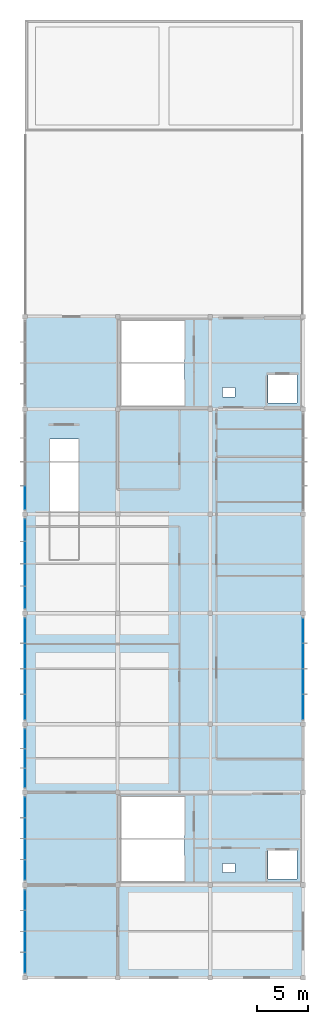
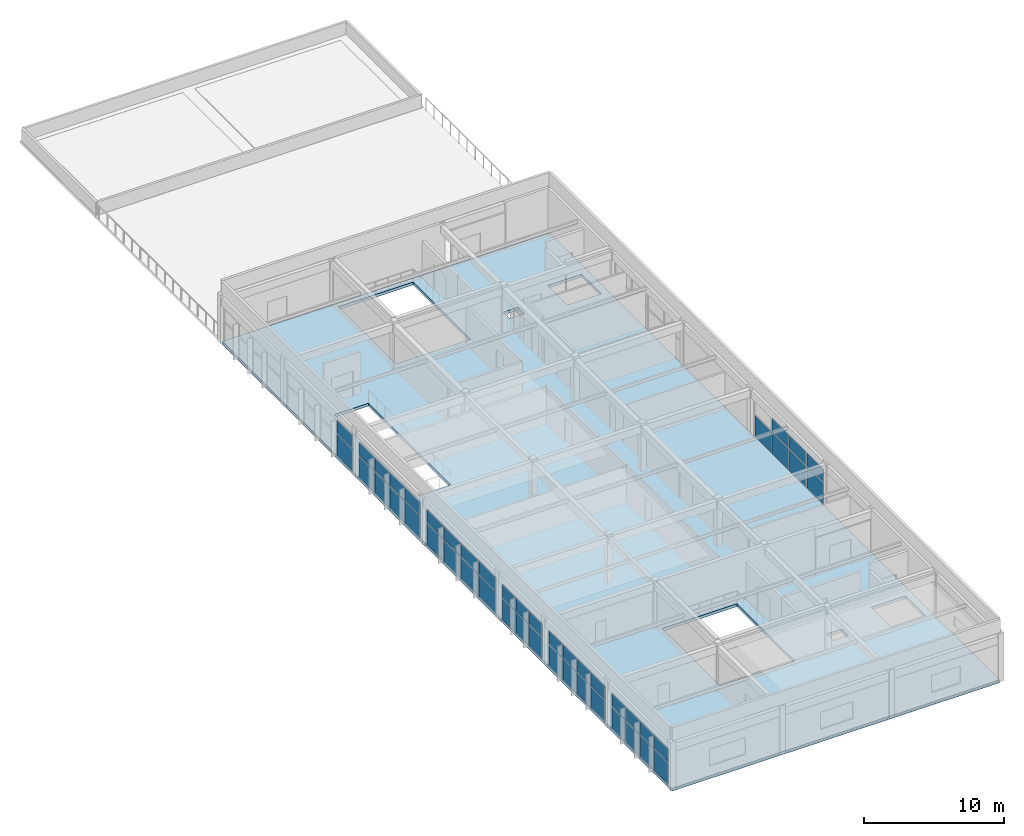
# One storey, part 5 of 10: 47 plates, 1 slab, 7 elements without a shape of their own.
"""IFC4 building model written with IfcOpenShell, lengths in metres."""

from ifc_helpers import new_model, si_unit, direction, frame, origin, place, context, subcontext, project, spatial, polyline, outline, extrude, material, layer, layer_set, type_object, element, aggregate, save


model = new_model("IFC4")

# Units and contexts
model_context = context("Model", 3, precision=1e-05, world=origin(), true_north=direction((0.0, 1.0)))
body_context = subcontext(model_context, "Body", "Model", "MODEL_VIEW")
ifc_project = project(units=[si_unit("LENGTHUNIT", "METRE"), si_unit("AREAUNIT", "SQUARE_METRE"), si_unit("VOLUMEUNIT", "CUBIC_METRE"), si_unit("PLANEANGLEUNIT", "RADIAN"), si_unit("MASSUNIT", "GRAM", prefix="KILO")], contexts=[model_context])

# Site, building, storey
site_placement = place(None, origin())
site = spatial("IfcSite", under=ifc_project, at=site_placement, CompositionType="ELEMENT")
building_placement = place(site_placement, origin())
building = spatial("IfcBuilding", under=site, at=building_placement, Name="Suirenkawa Promenade Aquatics Centre", CompositionType="ELEMENT")
storey_placement = place(building_placement, frame((0.0, 0.0, 18.60009765625)))
storey = spatial("IfcBuildingStorey", under=building, at=storey_placement, Name="L04", CompositionType="ELEMENT", Elevation=18.60009765625)

# Curtain wall, plates
ifc_material_1 = material(Name="Anodised aluminium 6063-T6", Category="aluminium")
curtain_wall_type_1 = type_object("IfcCurtainWallType", Name="CWAT-V5EL04-82", PredefinedType="NOTDEFINED", material=ifc_material_1)
curtain_wall_1_placement = place(storey_placement, origin())
curtain_wall_1 = element("IfcCurtainWall", 1, at=curtain_wall_1_placement, inside=storey, type_object=curtain_wall_type_1, Name="Curtain wall CWA-82 CW-149", PredefinedType="NOTDEFINED")
ifc_material_2 = material(Name="Low-E thermally broken double glazing", Category="glass")
ifc_layer_1 = layer(ifc_material_2, 0.028076171875, Name="Low-E thermally broken double glazing", Category="glass")
ifc_layer_set_1 = layer_set([ifc_layer_1], Name="Low-E thermally broken double glazing")
plate_type_1 = type_object("IfcPlateType", Name="CWP-LOWE-28", PredefinedType="CURTAIN_PANEL", material=ifc_layer_set_1)
plate_1_placement = place(storey_placement, frame((27.0, 39.15087890625, 0.039794921875), z_axis=(0.0, 0.0, 1.0), x_axis=(0.0, -1.0, 0.0)))
plate_1 = element("IfcPlate", 2, at=plate_1_placement, type_object=plate_type_1, Name="Glazed panel CP-02 CWP-03046", PredefinedType="CURTAIN_PANEL", context=body_context, shape_type="SweptSolid", body=[
    extrude(outline(polyline([(0.0400390625, 0.0), (2.435546875, 0.0), (2.435546875, 1.8701171875), (0.0400390625, 1.8701171875), (0.0400390625, 0.0)])), frame((0.0, 0.01416015625, 0.0), z_axis=(0.0, -1.0, 0.0), x_axis=(1.0, 0.0, 0.0)), (0.0, 0.0, 1.0), 0.028076171875),
])
plate_2_placement = place(storey_placement, frame((27.0, 36.675537109375, 0.039794921875), z_axis=(0.0, 0.0, 1.0), x_axis=(0.0, -1.0, 0.0)))
plate_2 = element("IfcPlate", 3, at=plate_2_placement, type_object=plate_type_1, Name="Glazed panel CP-02 CWP-03048", PredefinedType="CURTAIN_PANEL", context=body_context, shape_type="SweptSolid", body=[
    extrude(outline(polyline([(0.0400390625, 0.0), (2.435546875, 0.0), (2.435546875, 1.8701171875), (0.0400390625, 1.8701171875), (0.0400390625, 0.0)])), frame((0.0, 0.01416015625, 0.0), z_axis=(0.0, -1.0, 0.0), x_axis=(1.0, 0.0, 0.0)), (0.0, 0.0, 1.0), 0.028076171875),
])
plate_3_placement = place(storey_placement, frame((27.0, 36.675537109375, 1.989990234375), z_axis=(0.0, 0.0, 1.0), x_axis=(0.0, -1.0, 0.0)))
plate_3 = element("IfcPlate", 4, at=plate_3_placement, type_object=plate_type_1, Name="Top glazed panel CP-02 CWP-03049", PredefinedType="CURTAIN_PANEL", context=body_context, shape_type="SweptSolid", body=[
    extrude(outline(polyline([(0.0400390625, 0.0), (2.435546875, 0.0), (2.435546875, 1.14501953125), (0.0400390625, 1.14501953125), (0.0400390625, 0.0)])), frame((0.0, 0.01416015625, 0.0), z_axis=(0.0, -1.0, 0.0), x_axis=(1.0, 0.0, 0.0)), (0.0, 0.0, 1.0), 0.028076171875),
])
plate_4_placement = place(storey_placement, frame((27.0, 34.199951171875, 0.039794921875), z_axis=(0.0, 0.0, 1.0), x_axis=(0.0, -1.0, 0.0)))
plate_4 = element("IfcPlate", 5, at=plate_4_placement, type_object=plate_type_1, Name="Glazed panel CP-02 CWP-03050", PredefinedType="CURTAIN_PANEL", context=body_context, shape_type="SweptSolid", body=[
    extrude(outline(polyline([(0.0400390625, 0.0), (2.435546875, 0.0), (2.435546875, 1.8701171875), (0.0400390625, 1.8701171875), (0.0400390625, 0.0)])), frame((0.0, 0.01416015625, 0.0), z_axis=(0.0, -1.0, 0.0), x_axis=(1.0, 0.0, 0.0)), (0.0, 0.0, 1.0), 0.028076171875),
])
plate_5_placement = place(storey_placement, frame((27.0, 34.199951171875, 1.989990234375), z_axis=(0.0, 0.0, 1.0), x_axis=(0.0, -1.0, 0.0)))
plate_5 = element("IfcPlate", 6, at=plate_5_placement, type_object=plate_type_1, Name="Top glazed panel CP-02 CWP-03051", PredefinedType="CURTAIN_PANEL", context=body_context, shape_type="SweptSolid", body=[
    extrude(outline(polyline([(0.0400390625, 0.0), (2.435546875, 0.0), (2.435546875, 1.14501953125), (0.0400390625, 1.14501953125), (0.0400390625, 0.0)])), frame((0.0, 0.01416015625, 0.0), z_axis=(0.0, -1.0, 0.0), x_axis=(1.0, 0.0, 0.0)), (0.0, 0.0, 1.0), 0.028076171875),
])
plate_6_placement = place(storey_placement, frame((27.0, 31.724609375, 0.039794921875), z_axis=(0.0, 0.0, 1.0), x_axis=(0.0, -1.0, 0.0)))
plate_6 = element("IfcPlate", 7, at=plate_6_placement, type_object=plate_type_1, Name="Glazed panel CP-02 CWP-03052", PredefinedType="CURTAIN_PANEL", context=body_context, shape_type="SweptSolid", body=[
    extrude(outline(polyline([(0.0400390625, 0.0), (2.435546875, 0.0), (2.435546875, 1.8701171875), (0.0400390625, 1.8701171875), (0.0400390625, 0.0)])), frame((0.0, 0.01416015625, 0.0), z_axis=(0.0, -1.0, 0.0), x_axis=(1.0, 0.0, 0.0)), (0.0, 0.0, 1.0), 0.028076171875),
])
plate_7_placement = place(storey_placement, frame((27.0, 31.724609375, 1.989990234375), z_axis=(0.0, 0.0, 1.0), x_axis=(0.0, -1.0, 0.0)))
plate_7 = element("IfcPlate", 8, at=plate_7_placement, type_object=plate_type_1, Name="Top glazed panel CP-02 CWP-03053", PredefinedType="CURTAIN_PANEL", context=body_context, shape_type="SweptSolid", body=[
    extrude(outline(polyline([(0.0400390625, 0.0), (2.435546875, 0.0), (2.435546875, 1.14501953125), (0.0400390625, 1.14501953125), (0.0400390625, 0.0)])), frame((0.0, 0.01416015625, 0.0), z_axis=(0.0, -1.0, 0.0), x_axis=(1.0, 0.0, 0.0)), (0.0, 0.0, 1.0), 0.028076171875),
])
aggregate(curtain_wall_1, [plate_1, plate_2, plate_3, plate_4, plate_5, plate_6, plate_7])

curtain_wall_type_2 = type_object("IfcCurtainWallType", Name="CWAT-V5WL04-79", PredefinedType="NOTDEFINED", material=ifc_material_1)
curtain_wall_2_placement = place(storey_placement, origin())
curtain_wall_2 = element("IfcCurtainWall", 9, at=curtain_wall_2_placement, inside=storey, type_object=curtain_wall_type_2, Name="Curtain wall CWA-79 CW-145", PredefinedType="NOTDEFINED")
ifc_material_3 = material(Name="Ceramic-fritted low-SHGC double glazing", Category="glass")
ifc_layer_2 = layer(ifc_material_3, 0.035888671875, Name="Ceramic-fritted low-SHGC double glazing", Category="glass")
ifc_layer_set_2 = layer_set([ifc_layer_2], Name="Ceramic-fritted low-SHGC double glazing")
plate_type_2 = type_object("IfcPlateType", Name="CWP-SHOJI-36", PredefinedType="CURTAIN_PANEL", material=ifc_layer_set_2)
plate_8_placement = place(storey_placement, frame((0.0, 4.64892578125, 0.039794921875), z_axis=(0.0, 0.0, 1.0), x_axis=(0.0, 1.0, 0.0)))
plate_8 = element("IfcPlate", 10, at=plate_8_placement, type_object=plate_type_2, Name="Glazed panel CP-01 CWP-02963", PredefinedType="CURTAIN_PANEL", context=body_context, shape_type="SweptSolid", body=[
    extrude(outline(polyline([(0.0400390625, 0.0), (1.985595703125, 0.0), (1.985595703125, 1.8701171875), (0.0400390625, 1.8701171875), (0.0400390625, 0.0)])), frame((0.0, 0.01806640625, 0.0), z_axis=(0.0, -1.0, 0.0), x_axis=(1.0, 0.0, 0.0)), (0.0, 0.0, 1.0), 0.035888671875),
])
plate_9_placement = place(storey_placement, frame((0.0, 4.64892578125, 1.989990234375), z_axis=(0.0, 0.0, 1.0), x_axis=(0.0, 1.0, 0.0)))
plate_9 = element("IfcPlate", 11, at=plate_9_placement, type_object=plate_type_2, Name="Top glazed panel CP-01 CWP-02964", PredefinedType="CURTAIN_PANEL", context=body_context, shape_type="SweptSolid", body=[
    extrude(outline(polyline([(0.0400390625, 0.0), (1.985595703125, 0.0), (1.985595703125, 1.14501953125), (0.0400390625, 1.14501953125), (0.0400390625, 0.0)])), frame((0.0, 0.01806640625, 0.0), z_axis=(0.0, -1.0, 0.0), x_axis=(1.0, 0.0, 0.0)), (0.0, 0.0, 1.0), 0.035888671875),
])
plate_10_placement = place(storey_placement, frame((0.0, 6.674560546875, 0.039794921875), z_axis=(0.0, 0.0, 1.0), x_axis=(0.0, 1.0, 0.0)))
plate_10 = element("IfcPlate", 12, at=plate_10_placement, type_object=plate_type_2, Name="Glazed panel CP-01 CWP-02965", PredefinedType="CURTAIN_PANEL", context=body_context, shape_type="SweptSolid", body=[
    extrude(outline(polyline([(0.0400390625, 0.0), (1.985595703125, 0.0), (1.985595703125, 1.8701171875), (0.0400390625, 1.8701171875), (0.0400390625, 0.0)])), frame((0.0, 0.01806640625, 0.0), z_axis=(0.0, -1.0, 0.0), x_axis=(1.0, 0.0, 0.0)), (0.0, 0.0, 1.0), 0.035888671875),
])
plate_11_placement = place(storey_placement, frame((0.0, 6.674560546875, 1.989990234375), z_axis=(0.0, 0.0, 1.0), x_axis=(0.0, 1.0, 0.0)))
plate_11 = element("IfcPlate", 13, at=plate_11_placement, type_object=plate_type_2, Name="Top glazed panel CP-01 CWP-02966", PredefinedType="CURTAIN_PANEL", context=body_context, shape_type="SweptSolid", body=[
    extrude(outline(polyline([(0.0400390625, 0.0), (1.985595703125, 0.0), (1.985595703125, 1.14501953125), (0.0400390625, 1.14501953125), (0.0400390625, 0.0)])), frame((0.0, 0.01806640625, 0.0), z_axis=(0.0, -1.0, 0.0), x_axis=(1.0, 0.0, 0.0)), (0.0, 0.0, 1.0), 0.035888671875),
])
plate_12_placement = place(storey_placement, frame((0.0, 8.699951171875, 0.039794921875), z_axis=(0.0, 0.0, 1.0), x_axis=(0.0, 1.0, 0.0)))
plate_12 = element("IfcPlate", 14, at=plate_12_placement, type_object=plate_type_2, Name="Glazed panel CP-01 CWP-02967", PredefinedType="CURTAIN_PANEL", context=body_context, shape_type="SweptSolid", body=[
    extrude(outline(polyline([(0.0400390625, 0.0), (1.985595703125, 0.0), (1.985595703125, 1.8701171875), (0.0400390625, 1.8701171875), (0.0400390625, 0.0)])), frame((0.0, 0.01806640625, 0.0), z_axis=(0.0, -1.0, 0.0), x_axis=(1.0, 0.0, 0.0)), (0.0, 0.0, 1.0), 0.035888671875),
])
plate_13_placement = place(storey_placement, frame((0.0, 8.699951171875, 1.989990234375), z_axis=(0.0, 0.0, 1.0), x_axis=(0.0, 1.0, 0.0)))
plate_13 = element("IfcPlate", 15, at=plate_13_placement, type_object=plate_type_2, Name="Top glazed panel CP-01 CWP-02968", PredefinedType="CURTAIN_PANEL", context=body_context, shape_type="SweptSolid", body=[
    extrude(outline(polyline([(0.0400390625, 0.0), (1.985595703125, 0.0), (1.985595703125, 1.14501953125), (0.0400390625, 1.14501953125), (0.0400390625, 0.0)])), frame((0.0, 0.01806640625, 0.0), z_axis=(0.0, -1.0, 0.0), x_axis=(1.0, 0.0, 0.0)), (0.0, 0.0, 1.0), 0.035888671875),
])
plate_14_placement = place(storey_placement, frame((0.0, 10.7255859375, 0.039794921875), z_axis=(0.0, 0.0, 1.0), x_axis=(0.0, 1.0, 0.0)))
plate_14 = element("IfcPlate", 16, at=plate_14_placement, type_object=plate_type_2, Name="Glazed panel CP-01 CWP-02969", PredefinedType="CURTAIN_PANEL", context=body_context, shape_type="SweptSolid", body=[
    extrude(outline(polyline([(0.0400390625, 0.0), (1.985595703125, 0.0), (1.985595703125, 1.8701171875), (0.0400390625, 1.8701171875), (0.0400390625, 0.0)])), frame((0.0, 0.01806640625, 0.0), z_axis=(0.0, -1.0, 0.0), x_axis=(1.0, 0.0, 0.0)), (0.0, 0.0, 1.0), 0.035888671875),
])
plate_15_placement = place(storey_placement, frame((0.0, 10.7255859375, 1.989990234375), z_axis=(0.0, 0.0, 1.0), x_axis=(0.0, 1.0, 0.0)))
plate_15 = element("IfcPlate", 17, at=plate_15_placement, type_object=plate_type_2, Name="Top glazed panel CP-01 CWP-02970", PredefinedType="CURTAIN_PANEL", context=body_context, shape_type="SweptSolid", body=[
    extrude(outline(polyline([(0.0400390625, 0.0), (1.985595703125, 0.0), (1.985595703125, 1.14501953125), (0.0400390625, 1.14501953125), (0.0400390625, 0.0)])), frame((0.0, 0.01806640625, 0.0), z_axis=(0.0, -1.0, 0.0), x_axis=(1.0, 0.0, 0.0)), (0.0, 0.0, 1.0), 0.035888671875),
])
aggregate(curtain_wall_2, [plate_8, plate_9, plate_10, plate_11, plate_12, plate_13, plate_14, plate_15])

curtain_wall_3_placement = place(storey_placement, origin())
curtain_wall_3 = element("IfcCurtainWall", 18, at=curtain_wall_3_placement, inside=storey, type_object=curtain_wall_type_2, Name="Curtain wall CWA-79 CW-146", PredefinedType="NOTDEFINED")
plate_16_placement = place(storey_placement, frame((0.0, 13.64892578125, 0.039794921875), z_axis=(0.0, 0.0, 1.0), x_axis=(0.0, 1.0, 0.0)))
plate_16 = element("IfcPlate", 19, at=plate_16_placement, type_object=plate_type_2, Name="Glazed panel CP-01 CWP-02985", PredefinedType="CURTAIN_PANEL", context=body_context, shape_type="SweptSolid", body=[
    extrude(outline(polyline([(0.0400390625, 0.0), (1.985595703125, 0.0), (1.985595703125, 1.8701171875), (0.0400390625, 1.8701171875), (0.0400390625, 0.0)])), frame((0.0, 0.01806640625, 0.0), z_axis=(0.0, -1.0, 0.0), x_axis=(1.0, 0.0, 0.0)), (0.0, 0.0, 1.0), 0.035888671875),
])
plate_17_placement = place(storey_placement, frame((0.0, 13.64892578125, 1.989990234375), z_axis=(0.0, 0.0, 1.0), x_axis=(0.0, 1.0, 0.0)))
plate_17 = element("IfcPlate", 20, at=plate_17_placement, type_object=plate_type_2, Name="Top glazed panel CP-01 CWP-02986", PredefinedType="CURTAIN_PANEL", context=body_context, shape_type="SweptSolid", body=[
    extrude(outline(polyline([(0.0400390625, 0.0), (1.985595703125, 0.0), (1.985595703125, 1.14501953125), (0.0400390625, 1.14501953125), (0.0400390625, 0.0)])), frame((0.0, 0.01806640625, 0.0), z_axis=(0.0, -1.0, 0.0), x_axis=(1.0, 0.0, 0.0)), (0.0, 0.0, 1.0), 0.035888671875),
])
plate_18_placement = place(storey_placement, frame((0.0, 15.674560546875, 0.039794921875), z_axis=(0.0, 0.0, 1.0), x_axis=(0.0, 1.0, 0.0)))
plate_18 = element("IfcPlate", 21, at=plate_18_placement, type_object=plate_type_2, Name="Glazed panel CP-01 CWP-02987", PredefinedType="CURTAIN_PANEL", context=body_context, shape_type="SweptSolid", body=[
    extrude(outline(polyline([(0.0400390625, 0.0), (1.985595703125, 0.0), (1.985595703125, 1.8701171875), (0.0400390625, 1.8701171875), (0.0400390625, 0.0)])), frame((0.0, 0.01806640625, 0.0), z_axis=(0.0, -1.0, 0.0), x_axis=(1.0, 0.0, 0.0)), (0.0, 0.0, 1.0), 0.035888671875),
])
plate_19_placement = place(storey_placement, frame((0.0, 15.674560546875, 1.989990234375), z_axis=(0.0, 0.0, 1.0), x_axis=(0.0, 1.0, 0.0)))
plate_19 = element("IfcPlate", 22, at=plate_19_placement, type_object=plate_type_2, Name="Top glazed panel CP-01 CWP-02988", PredefinedType="CURTAIN_PANEL", context=body_context, shape_type="SweptSolid", body=[
    extrude(outline(polyline([(0.0400390625, 0.0), (1.985595703125, 0.0), (1.985595703125, 1.14501953125), (0.0400390625, 1.14501953125), (0.0400390625, 0.0)])), frame((0.0, 0.01806640625, 0.0), z_axis=(0.0, -1.0, 0.0), x_axis=(1.0, 0.0, 0.0)), (0.0, 0.0, 1.0), 0.035888671875),
])
plate_20_placement = place(storey_placement, frame((0.0, 17.699951171875, 0.039794921875), z_axis=(0.0, 0.0, 1.0), x_axis=(0.0, 1.0, 0.0)))
plate_20 = element("IfcPlate", 23, at=plate_20_placement, type_object=plate_type_2, Name="Glazed panel CP-01 CWP-02989", PredefinedType="CURTAIN_PANEL", context=body_context, shape_type="SweptSolid", body=[
    extrude(outline(polyline([(0.0400390625, 0.0), (1.985595703125, 0.0), (1.985595703125, 1.8701171875), (0.0400390625, 1.8701171875), (0.0400390625, 0.0)])), frame((0.0, 0.01806640625, 0.0), z_axis=(0.0, -1.0, 0.0), x_axis=(1.0, 0.0, 0.0)), (0.0, 0.0, 1.0), 0.035888671875),
])
plate_21_placement = place(storey_placement, frame((0.0, 17.699951171875, 1.989990234375), z_axis=(0.0, 0.0, 1.0), x_axis=(0.0, 1.0, 0.0)))
plate_21 = element("IfcPlate", 24, at=plate_21_placement, type_object=plate_type_2, Name="Top glazed panel CP-01 CWP-02990", PredefinedType="CURTAIN_PANEL", context=body_context, shape_type="SweptSolid", body=[
    extrude(outline(polyline([(0.0400390625, 0.0), (1.985595703125, 0.0), (1.985595703125, 1.14501953125), (0.0400390625, 1.14501953125), (0.0400390625, 0.0)])), frame((0.0, 0.01806640625, 0.0), z_axis=(0.0, -1.0, 0.0), x_axis=(1.0, 0.0, 0.0)), (0.0, 0.0, 1.0), 0.035888671875),
])
plate_22_placement = place(storey_placement, frame((0.0, 19.7255859375, 0.039794921875), z_axis=(0.0, 0.0, 1.0), x_axis=(0.0, 1.0, 0.0)))
plate_22 = element("IfcPlate", 25, at=plate_22_placement, type_object=plate_type_2, Name="Glazed panel CP-01 CWP-02991", PredefinedType="CURTAIN_PANEL", context=body_context, shape_type="SweptSolid", body=[
    extrude(outline(polyline([(0.0400390625, 0.0), (1.985595703125, 0.0), (1.985595703125, 1.8701171875), (0.0400390625, 1.8701171875), (0.0400390625, 0.0)])), frame((0.0, 0.01806640625, 0.0), z_axis=(0.0, -1.0, 0.0), x_axis=(1.0, 0.0, 0.0)), (0.0, 0.0, 1.0), 0.035888671875),
])
plate_23_placement = place(storey_placement, frame((0.0, 19.7255859375, 1.989990234375), z_axis=(0.0, 0.0, 1.0), x_axis=(0.0, 1.0, 0.0)))
plate_23 = element("IfcPlate", 26, at=plate_23_placement, type_object=plate_type_2, Name="Top glazed panel CP-01 CWP-02992", PredefinedType="CURTAIN_PANEL", context=body_context, shape_type="SweptSolid", body=[
    extrude(outline(polyline([(0.0400390625, 0.0), (1.985595703125, 0.0), (1.985595703125, 1.14501953125), (0.0400390625, 1.14501953125), (0.0400390625, 0.0)])), frame((0.0, 0.01806640625, 0.0), z_axis=(0.0, -1.0, 0.0), x_axis=(1.0, 0.0, 0.0)), (0.0, 0.0, 1.0), 0.035888671875),
])
aggregate(curtain_wall_3, [plate_16, plate_17, plate_18, plate_19, plate_20, plate_21, plate_22, plate_23])

curtain_wall_type_3 = type_object("IfcCurtainWallType", Name="CWAT-V5WL04-80", PredefinedType="NOTDEFINED", material=ifc_material_1)
curtain_wall_4_placement = place(storey_placement, origin())
curtain_wall_4 = element("IfcCurtainWall", 27, at=curtain_wall_4_placement, inside=storey, type_object=curtain_wall_type_3, Name="Curtain wall CWA-80 CW-147", PredefinedType="NOTDEFINED")
plate_24_placement = place(storey_placement, frame((0.0, 22.64892578125, 0.039794921875), z_axis=(0.0, 0.0, 1.0), x_axis=(0.0, 1.0, 0.0)))
plate_24 = element("IfcPlate", 28, at=plate_24_placement, type_object=plate_type_2, Name="Glazed panel CP-01 CWP-03004", PredefinedType="CURTAIN_PANEL", context=body_context, shape_type="SweptSolid", body=[
    extrude(outline(polyline([(0.0400390625, 0.0), (1.860595703125, 0.0), (1.860595703125, 1.8701171875), (0.0400390625, 1.8701171875), (0.0400390625, 0.0)])), frame((0.0, 0.01806640625, 0.0), z_axis=(0.0, -1.0, 0.0), x_axis=(1.0, 0.0, 0.0)), (0.0, 0.0, 1.0), 0.035888671875),
])
plate_25_placement = place(storey_placement, frame((0.0, 22.64892578125, 1.989990234375), z_axis=(0.0, 0.0, 1.0), x_axis=(0.0, 1.0, 0.0)))
plate_25 = element("IfcPlate", 29, at=plate_25_placement, type_object=plate_type_2, Name="Top glazed panel CP-01 CWP-03005", PredefinedType="CURTAIN_PANEL", context=body_context, shape_type="SweptSolid", body=[
    extrude(outline(polyline([(0.0400390625, 0.0), (1.860595703125, 0.0), (1.860595703125, 1.14501953125), (0.0400390625, 1.14501953125), (0.0400390625, 0.0)])), frame((0.0, 0.01806640625, 0.0), z_axis=(0.0, -1.0, 0.0), x_axis=(1.0, 0.0, 0.0)), (0.0, 0.0, 1.0), 0.035888671875),
])
plate_26_placement = place(storey_placement, frame((0.0, 24.549560546875, 0.039794921875), z_axis=(0.0, 0.0, 1.0), x_axis=(0.0, 1.0, 0.0)))
plate_26 = element("IfcPlate", 30, at=plate_26_placement, type_object=plate_type_2, Name="Glazed panel CP-01 CWP-03006", PredefinedType="CURTAIN_PANEL", context=body_context, shape_type="SweptSolid", body=[
    extrude(outline(polyline([(0.0400390625, 0.0), (1.860595703125, 0.0), (1.860595703125, 1.8701171875), (0.0400390625, 1.8701171875), (0.0400390625, 0.0)])), frame((0.0, 0.01806640625, 0.0), z_axis=(0.0, -1.0, 0.0), x_axis=(1.0, 0.0, 0.0)), (0.0, 0.0, 1.0), 0.035888671875),
])
plate_27_placement = place(storey_placement, frame((0.0, 24.549560546875, 1.989990234375), z_axis=(0.0, 0.0, 1.0), x_axis=(0.0, 1.0, 0.0)))
plate_27 = element("IfcPlate", 31, at=plate_27_placement, type_object=plate_type_2, Name="Top glazed panel CP-01 CWP-03007", PredefinedType="CURTAIN_PANEL", context=body_context, shape_type="SweptSolid", body=[
    extrude(outline(polyline([(0.0400390625, 0.0), (1.860595703125, 0.0), (1.860595703125, 1.14501953125), (0.0400390625, 1.14501953125), (0.0400390625, 0.0)])), frame((0.0, 0.01806640625, 0.0), z_axis=(0.0, -1.0, 0.0), x_axis=(1.0, 0.0, 0.0)), (0.0, 0.0, 1.0), 0.035888671875),
])
plate_28_placement = place(storey_placement, frame((0.0, 26.450439453125, 0.039794921875), z_axis=(0.0, 0.0, 1.0), x_axis=(0.0, 1.0, 0.0)))
plate_28 = element("IfcPlate", 32, at=plate_28_placement, type_object=plate_type_2, Name="Glazed panel CP-01 CWP-03008", PredefinedType="CURTAIN_PANEL", context=body_context, shape_type="SweptSolid", body=[
    extrude(outline(polyline([(0.0400390625, 0.0), (1.860595703125, 0.0), (1.860595703125, 1.8701171875), (0.0400390625, 1.8701171875), (0.0400390625, 0.0)])), frame((0.0, 0.01806640625, 0.0), z_axis=(0.0, -1.0, 0.0), x_axis=(1.0, 0.0, 0.0)), (0.0, 0.0, 1.0), 0.035888671875),
])
plate_29_placement = place(storey_placement, frame((0.0, 26.450439453125, 1.989990234375), z_axis=(0.0, 0.0, 1.0), x_axis=(0.0, 1.0, 0.0)))
plate_29 = element("IfcPlate", 33, at=plate_29_placement, type_object=plate_type_2, Name="Top glazed panel CP-01 CWP-03009", PredefinedType="CURTAIN_PANEL", context=body_context, shape_type="SweptSolid", body=[
    extrude(outline(polyline([(0.0400390625, 0.0), (1.860595703125, 0.0), (1.860595703125, 1.14501953125), (0.0400390625, 1.14501953125), (0.0400390625, 0.0)])), frame((0.0, 0.01806640625, 0.0), z_axis=(0.0, -1.0, 0.0), x_axis=(1.0, 0.0, 0.0)), (0.0, 0.0, 1.0), 0.035888671875),
])
aggregate(curtain_wall_4, [plate_24, plate_25, plate_26, plate_27, plate_28, plate_29])

curtain_wall_type_4 = type_object("IfcCurtainWallType", Name="CWAT-V5WL04-81", PredefinedType="NOTDEFINED", material=ifc_material_1)
curtain_wall_5_placement = place(storey_placement, origin())
curtain_wall_5 = element("IfcCurtainWall", 34, at=curtain_wall_5_placement, inside=storey, type_object=curtain_wall_type_4, Name="Curtain wall CWA-81 CW-148", PredefinedType="NOTDEFINED")
plate_30_placement = place(storey_placement, frame((0.0, 29.2490234375, 0.039794921875), z_axis=(0.0, 0.0, 1.0), x_axis=(0.0, 1.0, 0.0)))
plate_30 = element("IfcPlate", 35, at=plate_30_placement, type_object=plate_type_2, Name="Glazed panel CP-01 CWP-03024", PredefinedType="CURTAIN_PANEL", context=body_context, shape_type="SweptSolid", body=[
    extrude(outline(polyline([(0.0400390625, 0.0), (2.435546875, 0.0), (2.435546875, 1.8701171875), (0.0400390625, 1.8701171875), (0.0400390625, 0.0)])), frame((0.0, 0.01806640625, 0.0), z_axis=(0.0, -1.0, 0.0), x_axis=(1.0, 0.0, 0.0)), (0.0, 0.0, 1.0), 0.035888671875),
])
plate_31_placement = place(storey_placement, frame((0.0, 29.2490234375, 1.989990234375), z_axis=(0.0, 0.0, 1.0), x_axis=(0.0, 1.0, 0.0)))
plate_31 = element("IfcPlate", 36, at=plate_31_placement, type_object=plate_type_2, Name="Top glazed panel CP-01 CWP-03025", PredefinedType="CURTAIN_PANEL", context=body_context, shape_type="SweptSolid", body=[
    extrude(outline(polyline([(0.0400390625, 0.0), (2.435546875, 0.0), (2.435546875, 1.14501953125), (0.0400390625, 1.14501953125), (0.0400390625, 0.0)])), frame((0.0, 0.01806640625, 0.0), z_axis=(0.0, -1.0, 0.0), x_axis=(1.0, 0.0, 0.0)), (0.0, 0.0, 1.0), 0.035888671875),
])
plate_32_placement = place(storey_placement, frame((0.0, 31.724609375, 0.039794921875), z_axis=(0.0, 0.0, 1.0), x_axis=(0.0, 1.0, 0.0)))
plate_32 = element("IfcPlate", 37, at=plate_32_placement, type_object=plate_type_2, Name="Glazed panel CP-01 CWP-03026", PredefinedType="CURTAIN_PANEL", context=body_context, shape_type="SweptSolid", body=[
    extrude(outline(polyline([(0.0400390625, 0.0), (2.435546875, 0.0), (2.435546875, 1.8701171875), (0.0400390625, 1.8701171875), (0.0400390625, 0.0)])), frame((0.0, 0.01806640625, 0.0), z_axis=(0.0, -1.0, 0.0), x_axis=(1.0, 0.0, 0.0)), (0.0, 0.0, 1.0), 0.035888671875),
])
plate_33_placement = place(storey_placement, frame((0.0, 31.724609375, 1.989990234375), z_axis=(0.0, 0.0, 1.0), x_axis=(0.0, 1.0, 0.0)))
plate_33 = element("IfcPlate", 38, at=plate_33_placement, type_object=plate_type_2, Name="Top glazed panel CP-01 CWP-03027", PredefinedType="CURTAIN_PANEL", context=body_context, shape_type="SweptSolid", body=[
    extrude(outline(polyline([(0.0400390625, 0.0), (2.435546875, 0.0), (2.435546875, 1.14501953125), (0.0400390625, 1.14501953125), (0.0400390625, 0.0)])), frame((0.0, 0.01806640625, 0.0), z_axis=(0.0, -1.0, 0.0), x_axis=(1.0, 0.0, 0.0)), (0.0, 0.0, 1.0), 0.035888671875),
])
plate_34_placement = place(storey_placement, frame((0.0, 34.199951171875, 0.039794921875), z_axis=(0.0, 0.0, 1.0), x_axis=(0.0, 1.0, 0.0)))
plate_34 = element("IfcPlate", 39, at=plate_34_placement, type_object=plate_type_2, Name="Glazed panel CP-01 CWP-03028", PredefinedType="CURTAIN_PANEL", context=body_context, shape_type="SweptSolid", body=[
    extrude(outline(polyline([(0.0400390625, 0.0), (2.435546875, 0.0), (2.435546875, 1.8701171875), (0.0400390625, 1.8701171875), (0.0400390625, 0.0)])), frame((0.0, 0.01806640625, 0.0), z_axis=(0.0, -1.0, 0.0), x_axis=(1.0, 0.0, 0.0)), (0.0, 0.0, 1.0), 0.035888671875),
])
plate_35_placement = place(storey_placement, frame((0.0, 34.199951171875, 1.989990234375), z_axis=(0.0, 0.0, 1.0), x_axis=(0.0, 1.0, 0.0)))
plate_35 = element("IfcPlate", 40, at=plate_35_placement, type_object=plate_type_2, Name="Top glazed panel CP-01 CWP-03029", PredefinedType="CURTAIN_PANEL", context=body_context, shape_type="SweptSolid", body=[
    extrude(outline(polyline([(0.0400390625, 0.0), (2.435546875, 0.0), (2.435546875, 1.14501953125), (0.0400390625, 1.14501953125), (0.0400390625, 0.0)])), frame((0.0, 0.01806640625, 0.0), z_axis=(0.0, -1.0, 0.0), x_axis=(1.0, 0.0, 0.0)), (0.0, 0.0, 1.0), 0.035888671875),
])
plate_36_placement = place(storey_placement, frame((0.0, 36.675537109375, 0.039794921875), z_axis=(0.0, 0.0, 1.0), x_axis=(0.0, 1.0, 0.0)))
plate_36 = element("IfcPlate", 41, at=plate_36_placement, type_object=plate_type_2, Name="Glazed panel CP-01 CWP-03030", PredefinedType="CURTAIN_PANEL", context=body_context, shape_type="SweptSolid", body=[
    extrude(outline(polyline([(0.0400390625, 0.0), (2.435546875, 0.0), (2.435546875, 1.8701171875), (0.0400390625, 1.8701171875), (0.0400390625, 0.0)])), frame((0.0, 0.01806640625, 0.0), z_axis=(0.0, -1.0, 0.0), x_axis=(1.0, 0.0, 0.0)), (0.0, 0.0, 1.0), 0.035888671875),
])
plate_37_placement = place(storey_placement, frame((0.0, 36.675537109375, 1.989990234375), z_axis=(0.0, 0.0, 1.0), x_axis=(0.0, 1.0, 0.0)))
plate_37 = element("IfcPlate", 42, at=plate_37_placement, type_object=plate_type_2, Name="Top glazed panel CP-01 CWP-03031", PredefinedType="CURTAIN_PANEL", context=body_context, shape_type="SweptSolid", body=[
    extrude(outline(polyline([(0.0400390625, 0.0), (2.435546875, 0.0), (2.435546875, 1.14501953125), (0.0400390625, 1.14501953125), (0.0400390625, 0.0)])), frame((0.0, 0.01806640625, 0.0), z_axis=(0.0, -1.0, 0.0), x_axis=(1.0, 0.0, 0.0)), (0.0, 0.0, 1.0), 0.035888671875),
])
aggregate(curtain_wall_5, [plate_30, plate_31, plate_32, plate_33, plate_34, plate_35, plate_36, plate_37])

curtain_wall_type_5 = type_object("IfcCurtainWallType", Name="CWAT-V5WL04-83", PredefinedType="NOTDEFINED", material=ifc_material_1)
curtain_wall_6_placement = place(storey_placement, origin())
curtain_wall_6 = element("IfcCurtainWall", 43, at=curtain_wall_6_placement, inside=storey, type_object=curtain_wall_type_5, Name="Curtain wall CWA-83 CW-150", PredefinedType="NOTDEFINED")
plate_38_placement = place(storey_placement, frame((0.0, 40.049072265625, 0.039794921875), z_axis=(0.0, 0.0, 1.0), x_axis=(0.0, 1.0, 0.0)))
plate_38 = element("IfcPlate", 44, at=plate_38_placement, type_object=plate_type_2, Name="Glazed panel CP-01 CWP-03068", PredefinedType="CURTAIN_PANEL", context=body_context, shape_type="SweptSolid", body=[
    extrude(outline(polyline([(0.0400390625, 0.0), (2.135498046875, 0.0), (2.135498046875, 1.8701171875), (0.0400390625, 1.8701171875), (0.0400390625, 0.0)])), frame((0.0, 0.01806640625, 0.0), z_axis=(0.0, -1.0, 0.0), x_axis=(1.0, 0.0, 0.0)), (0.0, 0.0, 1.0), 0.035888671875),
])
plate_39_placement = place(storey_placement, frame((0.0, 40.049072265625, 1.989990234375), z_axis=(0.0, 0.0, 1.0), x_axis=(0.0, 1.0, 0.0)))
plate_39 = element("IfcPlate", 45, at=plate_39_placement, type_object=plate_type_2, Name="Top glazed panel CP-01 CWP-03069", PredefinedType="CURTAIN_PANEL", context=body_context, shape_type="SweptSolid", body=[
    extrude(outline(polyline([(0.0400390625, 0.0), (2.135498046875, 0.0), (2.135498046875, 1.14501953125), (0.0400390625, 1.14501953125), (0.0400390625, 0.0)])), frame((0.0, 0.01806640625, 0.0), z_axis=(0.0, -1.0, 0.0), x_axis=(1.0, 0.0, 0.0)), (0.0, 0.0, 1.0), 0.035888671875),
])
plate_40_placement = place(storey_placement, frame((0.0, 42.224609375, 0.039794921875), z_axis=(0.0, 0.0, 1.0), x_axis=(0.0, 1.0, 0.0)))
plate_40 = element("IfcPlate", 46, at=plate_40_placement, type_object=plate_type_2, Name="Glazed panel CP-01 CWP-03070", PredefinedType="CURTAIN_PANEL", context=body_context, shape_type="SweptSolid", body=[
    extrude(outline(polyline([(0.0400390625, 0.0), (2.135498046875, 0.0), (2.135498046875, 1.8701171875), (0.0400390625, 1.8701171875), (0.0400390625, 0.0)])), frame((0.0, 0.01806640625, 0.0), z_axis=(0.0, -1.0, 0.0), x_axis=(1.0, 0.0, 0.0)), (0.0, 0.0, 1.0), 0.035888671875),
])
plate_41_placement = place(storey_placement, frame((0.0, 42.224609375, 1.989990234375), z_axis=(0.0, 0.0, 1.0), x_axis=(0.0, 1.0, 0.0)))
plate_41 = element("IfcPlate", 47, at=plate_41_placement, type_object=plate_type_2, Name="Top glazed panel CP-01 CWP-03071", PredefinedType="CURTAIN_PANEL", context=body_context, shape_type="SweptSolid", body=[
    extrude(outline(polyline([(0.0400390625, 0.0), (2.135498046875, 0.0), (2.135498046875, 1.14501953125), (0.0400390625, 1.14501953125), (0.0400390625, 0.0)])), frame((0.0, 0.01806640625, 0.0), z_axis=(0.0, -1.0, 0.0), x_axis=(1.0, 0.0, 0.0)), (0.0, 0.0, 1.0), 0.035888671875),
])
plate_42_placement = place(storey_placement, frame((0.0, 44.39990234375, 0.039794921875), z_axis=(0.0, 0.0, 1.0), x_axis=(0.0, 1.0, 0.0)))
plate_42 = element("IfcPlate", 48, at=plate_42_placement, type_object=plate_type_2, Name="Glazed panel CP-01 CWP-03072", PredefinedType="CURTAIN_PANEL", context=body_context, shape_type="SweptSolid", body=[
    extrude(outline(polyline([(0.0400390625, 0.0), (2.135498046875, 0.0), (2.135498046875, 1.8701171875), (0.0400390625, 1.8701171875), (0.0400390625, 0.0)])), frame((0.0, 0.01806640625, 0.0), z_axis=(0.0, -1.0, 0.0), x_axis=(1.0, 0.0, 0.0)), (0.0, 0.0, 1.0), 0.035888671875),
])
plate_43_placement = place(storey_placement, frame((0.0, 44.39990234375, 1.989990234375), z_axis=(0.0, 0.0, 1.0), x_axis=(0.0, 1.0, 0.0)))
plate_43 = element("IfcPlate", 49, at=plate_43_placement, type_object=plate_type_2, Name="Top glazed panel CP-01 CWP-03073", PredefinedType="CURTAIN_PANEL", context=body_context, shape_type="SweptSolid", body=[
    extrude(outline(polyline([(0.0400390625, 0.0), (2.135498046875, 0.0), (2.135498046875, 1.14501953125), (0.0400390625, 1.14501953125), (0.0400390625, 0.0)])), frame((0.0, 0.01806640625, 0.0), z_axis=(0.0, -1.0, 0.0), x_axis=(1.0, 0.0, 0.0)), (0.0, 0.0, 1.0), 0.035888671875),
])
plate_44_placement = place(storey_placement, frame((0.0, 46.575439453125, 0.039794921875), z_axis=(0.0, 0.0, 1.0), x_axis=(0.0, 1.0, 0.0)))
plate_44 = element("IfcPlate", 50, at=plate_44_placement, type_object=plate_type_2, Name="Glazed panel CP-01 CWP-03074", PredefinedType="CURTAIN_PANEL", context=body_context, shape_type="SweptSolid", body=[
    extrude(outline(polyline([(0.0400390625, 0.0), (2.135498046875, 0.0), (2.135498046875, 1.8701171875), (0.0400390625, 1.8701171875), (0.0400390625, 0.0)])), frame((0.0, 0.01806640625, 0.0), z_axis=(0.0, -1.0, 0.0), x_axis=(1.0, 0.0, 0.0)), (0.0, 0.0, 1.0), 0.035888671875),
])
plate_45_placement = place(storey_placement, frame((0.0, 46.575439453125, 1.989990234375), z_axis=(0.0, 0.0, 1.0), x_axis=(0.0, 1.0, 0.0)))
plate_45 = element("IfcPlate", 51, at=plate_45_placement, type_object=plate_type_2, Name="Top glazed panel CP-01 CWP-03075", PredefinedType="CURTAIN_PANEL", context=body_context, shape_type="SweptSolid", body=[
    extrude(outline(polyline([(0.0400390625, 0.0), (2.135498046875, 0.0), (2.135498046875, 1.14501953125), (0.0400390625, 1.14501953125), (0.0400390625, 0.0)])), frame((0.0, 0.01806640625, 0.0), z_axis=(0.0, -1.0, 0.0), x_axis=(1.0, 0.0, 0.0)), (0.0, 0.0, 1.0), 0.035888671875),
])
aggregate(curtain_wall_6, [plate_38, plate_39, plate_40, plate_41, plate_42, plate_43, plate_44, plate_45])

curtain_wall_type_6 = type_object("IfcCurtainWallType", Name="CWAT-V5WL04-84", PredefinedType="NOTDEFINED", material=ifc_material_1)
curtain_wall_7_placement = place(storey_placement, origin())
curtain_wall_7 = element("IfcCurtainWall", 52, at=curtain_wall_7_placement, inside=storey, type_object=curtain_wall_type_6, Name="Curtain wall CWA-84 CW-151", PredefinedType="NOTDEFINED")
plate_46_placement = place(storey_placement, frame((0.0, 49.64892578125, 0.039794921875), z_axis=(0.0, 0.0, 1.0), x_axis=(0.0, 1.0, 0.0)))
plate_46 = element("IfcPlate", 53, at=plate_46_placement, type_object=plate_type_2, Name="Glazed panel CP-01 CWP-03090", PredefinedType="CURTAIN_PANEL", context=body_context, shape_type="SweptSolid", body=[
    extrude(outline(polyline([(0.0400390625, 0.0), (2.285400390625, 0.0), (2.285400390625, 1.8701171875), (0.0400390625, 1.8701171875), (0.0400390625, 0.0)])), frame((0.0, 0.01806640625, 0.0), z_axis=(0.0, -1.0, 0.0), x_axis=(1.0, 0.0, 0.0)), (0.0, 0.0, 1.0), 0.035888671875),
])
plate_47_placement = place(storey_placement, frame((0.0, 49.64892578125, 1.989990234375), z_axis=(0.0, 0.0, 1.0), x_axis=(0.0, 1.0, 0.0)))
plate_47 = element("IfcPlate", 54, at=plate_47_placement, type_object=plate_type_2, Name="Top glazed panel CP-01 CWP-03091", PredefinedType="CURTAIN_PANEL", context=body_context, shape_type="SweptSolid", body=[
    extrude(outline(polyline([(0.0400390625, 0.0), (2.285400390625, 0.0), (2.285400390625, 1.14501953125), (0.0400390625, 1.14501953125), (0.0400390625, 0.0)])), frame((0.0, 0.01806640625, 0.0), z_axis=(0.0, -1.0, 0.0), x_axis=(1.0, 0.0, 0.0)), (0.0, 0.0, 1.0), 0.035888671875),
])
aggregate(curtain_wall_7, [plate_46, plate_47])

# Slab
ifc_material_4 = material(Name="Concrete M35", Category="concrete")
ifc_layer_3 = layer(ifc_material_4, 0.25, Name="Concrete M35", Category="concrete")
ifc_layer_set_3 = layer_set([ifc_layer_3], Name="Concrete M35")
slab_type = type_object("IfcSlabType", Name="SLT-UPPER-250", PredefinedType="FLOOR", material=ifc_layer_set_3)
slab_placement = place(storey_placement, frame((0.0, 0.0, -0.25)))
element("IfcSlab", 55, at=slab_placement, inside=storey, type_object=slab_type, Name="V5 L04 federation floor SL-FLR-05 SL-0073", PredefinedType="FLOOR", context=body_context, shape_type="SweptSolid", body=[
    extrude(outline(polyline([(0.0, 4.199951171875), (27.0, 4.199951171875), (27.0, 68.39990234375), (0.0, 68.39990234375), (0.0, 4.199951171875)]), holes=[polyline([(9.360107421875, 13.56005859375), (15.5, 13.56005859375), (15.5, 21.760009765625), (9.360107421875, 21.760009765625), (9.360107421875, 13.56005859375)]), polyline([(23.60009765625, 13.800048828125), (26.39990234375, 13.800048828125), (26.39990234375, 16.60009765625), (23.60009765625, 16.60009765625), (23.60009765625, 13.800048828125)]), polyline([(9.360107421875, 59.760009765625), (15.5, 59.760009765625), (15.5, 67.9599609375), (9.360107421875, 67.9599609375), (9.360107421875, 59.760009765625)]), polyline([(23.60009765625, 60.0), (26.39990234375, 60.0), (26.39990234375, 62.800048828125), (23.60009765625, 62.800048828125), (23.60009765625, 60.0)]), polyline([(19.199951171875, 14.39990234375), (20.39990234375, 14.39990234375), (20.39990234375, 15.300048828125), (19.199951171875, 15.300048828125), (19.199951171875, 14.39990234375)]), polyline([(19.199951171875, 60.60009765625), (20.39990234375, 60.60009765625), (20.39990234375, 61.5), (19.199951171875, 61.5), (19.199951171875, 60.60009765625)]), polyline([(2.39990234375, 44.800048828125), (5.199951171875, 44.800048828125), (5.199951171875, 56.5), (2.39990234375, 56.5), (2.39990234375, 44.800048828125)])]), origin(), (0.0, 0.0, 1.0), 0.25),
])

save(model, "model.ifc")
